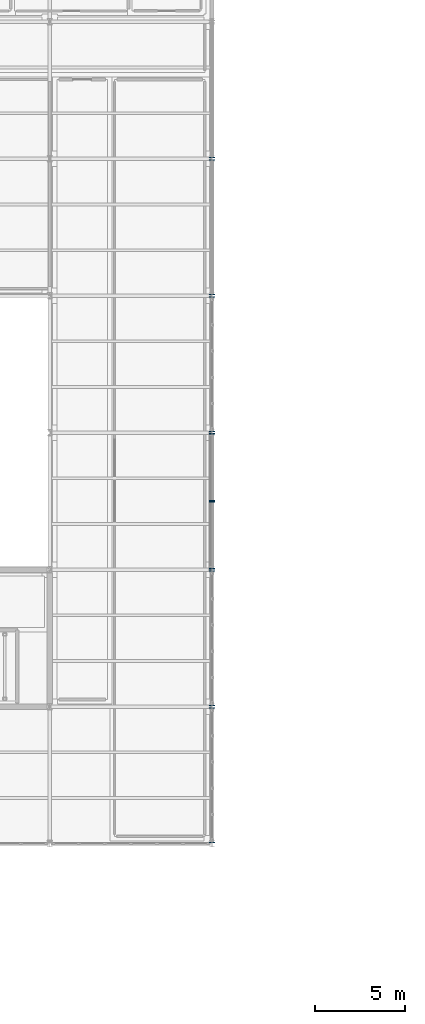
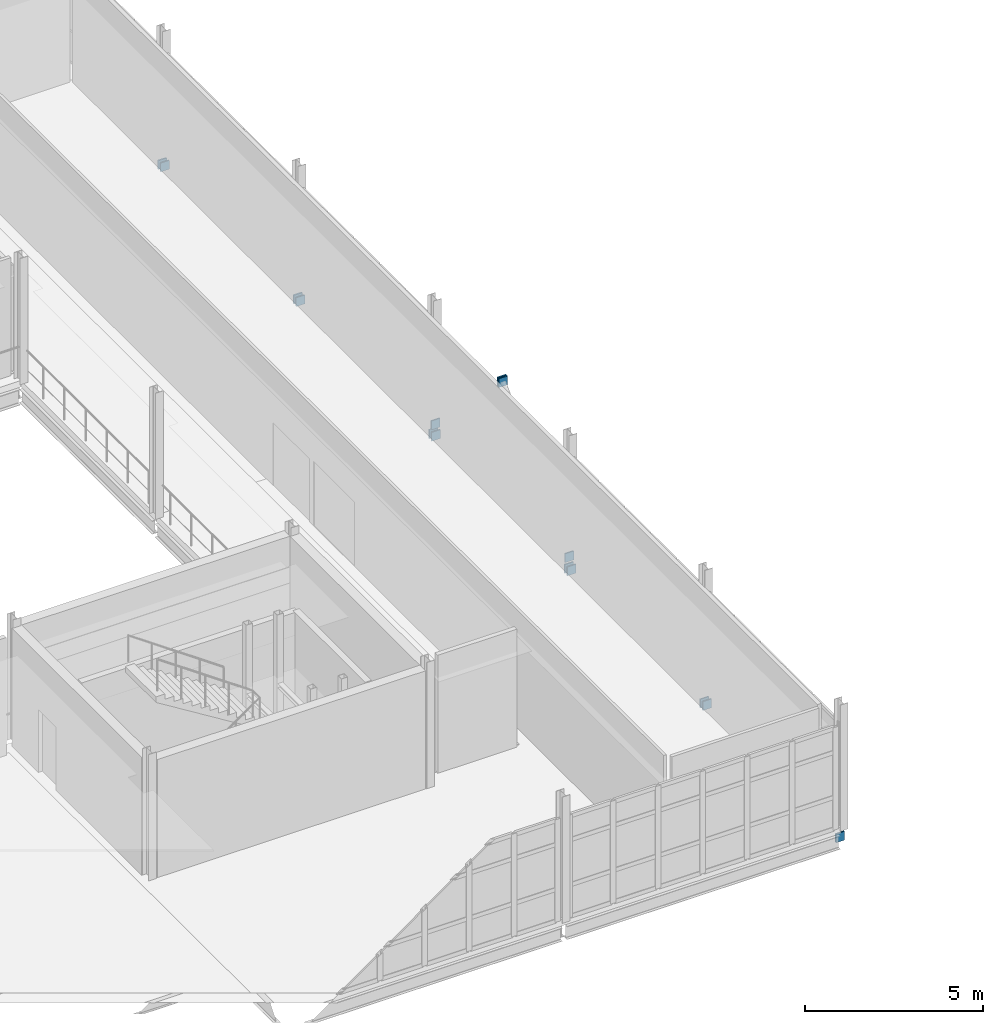
# One storey, part 151 of 174: 15 plates.
"""IFC4 building model written with IfcOpenShell, lengths in metres."""

from ifc_helpers import new_model, si_unit, direction, frame, origin, origin_2d, place, context, subcontext, project, spatial, rectangle, extrude, material, layer, layer_set, type_object, element, save


model = new_model("IFC4")

# Units and contexts
model_context = context("Model", 3, precision=1e-05, world=origin(), true_north=direction((0.0, 1.0)))
body_context = subcontext(model_context, "Body", "Model", "MODEL_VIEW")
ifc_project = project(units=[si_unit("LENGTHUNIT", "METRE"), si_unit("AREAUNIT", "SQUARE_METRE"), si_unit("VOLUMEUNIT", "CUBIC_METRE"), si_unit("PLANEANGLEUNIT", "RADIAN"), si_unit("MASSUNIT", "GRAM", prefix="KILO")], contexts=[model_context])

# Site, building, storey
site_placement = place(None, origin())
site = spatial("IfcSite", under=ifc_project, at=site_placement, CompositionType="ELEMENT")
building_placement = place(site_placement, origin())
building = spatial("IfcBuilding", under=site, at=building_placement, Name="Caisbarro Railhouse Central Library", CompositionType="ELEMENT")
storey_placement = place(building_placement, frame((0.0, 0.0, 5.0400390625)))
storey = spatial("IfcBuildingStorey", under=building, at=storey_placement, Name="L01", CompositionType="ELEMENT", Elevation=5.0400390625)

# Plates
ifc_material = material(Name="Steel ASTM A572 Grade 50", Category="steel")
ifc_layer = layer(ifc_material, 0.044921875, Name="Steel ASTM A572 Grade 50")
ifc_layer_set = layer_set([ifc_layer], Name="Steel ASTM A572 Grade 50")
plate_type = type_object("IfcPlateType", Name="PLT-EP01", PredefinedType="SHEET", material=ifc_layer_set)
for number, where, z_axis, x_axis, name in (
    (1, (153.0, 60.867919921875, -0.52001953125), (0.0, 0.0, 1.0), (0.0, 1.0, 0.0), "EP01 end cap plate"),
    (2, (153.0, 68.33203125, -0.52001953125), (0.0, 0.0, 1.0), (0.0, 1.0, 0.0), "EP01 end cap plate"),
    (3, (153.0, 68.468017578125, -0.52001953125), (0.0, 0.0, 1.0), (0.0, 1.0, 0.0), "EP01 end cap plate"),
    (4, (153.0, 75.931884765625, -0.52001953125), (0.0, 0.0, 1.0), (0.0, 1.0, 0.0), "EP01 end cap plate"),
    (5, (153.0, 76.068115234375, -0.52001953125), (0.0, 0.0, 1.0), (0.0, 1.0, 0.0), "EP01 end cap plate"),
    (6, (153.0, 83.531982421875, -0.52001953125), (0.0, 0.0, 1.0), (0.0, 1.0, 0.0), "EP01 end cap plate"),
    (7, (153.0, 83.66796875, -0.52001953125), (0.0, 0.0, 1.0), (0.0, 1.0, 0.0), "EP01 end cap plate"),
    (8, (153.0, 91.132080078125, -0.52001953125), (0.0, 0.0, 1.0), (0.0, 1.0, 0.0), "EP01 end cap plate"),
    (9, (153.0, 91.26806640625, -0.52001953125), (0.0, 0.0, 1.0), (0.0, 1.0, 0.0), "EP01 end cap plate"),
    (10, (153.0, 98.73193359375, -0.52001953125), (0.0, 0.0, 1.0), (0.0, 1.0, 0.0), "EP01 end cap plate"),
    (11, (153.0, 98.867919921875, -0.52001953125), (0.0, 0.0, 1.0), (0.0, 1.0, 0.0), "EP01 end cap plate"),
    (12, (153.0, 76.051513671875, -0.138671875), (0.0, 0.0, 1.0), (0.0, 1.0, 0.0), "EP01 end cap plate"),
    (13, (153.0, 79.7685546875, 3.5986328125), (0.0, 0.0, 1.0), (0.0, 1.0, 0.0), "EP01 end cap plate"),
    (14, (153.0, 83.548583984375, -0.138671875), (0.0, 0.0, 1.0), (0.0, -1.0, 0.0), "EP01 end cap plate"),
    (15, (153.0, 79.83154296875, 3.5986328125), (0.0, 0.0, 1.0), (0.0, -1.0, 0.0), "EP01 end cap plate"),
):
    element("IfcPlate", number, at=place(storey_placement, frame(where, z_axis=z_axis, x_axis=x_axis)), inside=storey, type_object=plate_type, Name=name, PredefinedType="SHEET", context=body_context, shape_type="SweptSolid", body=[
        extrude(rectangle(XDim=0.044921875, YDim=0.280029296875, at=origin_2d()), origin(), (0.0, 0.0, 1.0), 0.300048828125),
    ])

save(model, "model.ifc")
